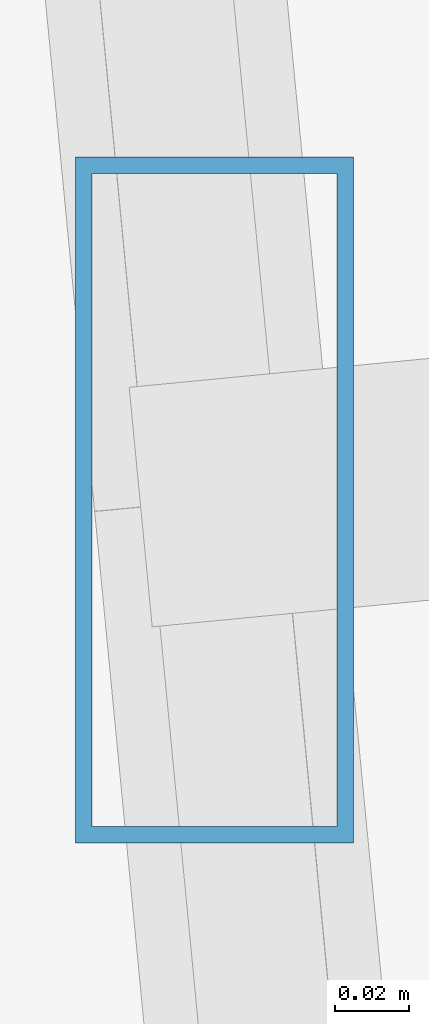
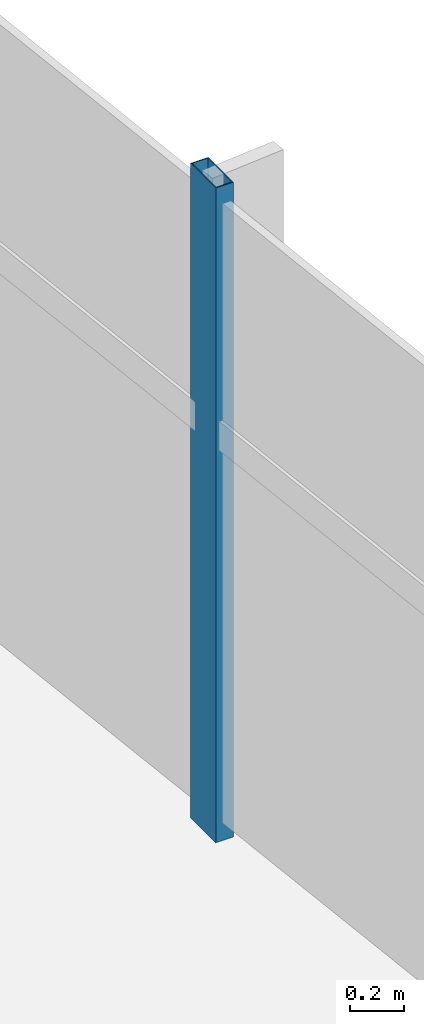
# One storey, part 16 of 27: 1 member, 1 element without a shape of its own.
"""IFC4 building model written with IfcOpenShell, lengths in metres."""

from ifc_helpers import new_model, si_unit, direction, frame, origin, origin_2d, place, context, subcontext, project, spatial, hollow_rectangle, extrude, source, transform, mapped, material, material_profile, profile_set, type_object, type_shapes, element, aggregate, save


model = new_model("IFC4")

# Units and contexts
model_context = context("Model", 3, precision=1e-05, world=origin(), true_north=direction((0.0, 1.0)))
body_context = subcontext(model_context, "Body", "Model", "MODEL_VIEW")
ifc_project = project(units=[si_unit("LENGTHUNIT", "METRE"), si_unit("AREAUNIT", "SQUARE_METRE"), si_unit("VOLUMEUNIT", "CUBIC_METRE"), si_unit("PLANEANGLEUNIT", "RADIAN"), si_unit("MASSUNIT", "GRAM", prefix="KILO")], contexts=[model_context])

# Site, building, storey
site_placement = place(None, origin())
site = spatial("IfcSite", under=ifc_project, at=site_placement, CompositionType="ELEMENT")
building_placement = place(site_placement, origin())
building = spatial("IfcBuilding", under=site, at=building_placement, Name="Astriad Promenade Condominiums", CompositionType="ELEMENT")
storey_placement = place(building_placement, frame((0.0, 0.0, 84.199951171875)))
storey = spatial("IfcBuildingStorey", under=building, at=storey_placement, Name="L23", CompositionType="ELEMENT", Elevation=84.199951171875)

# Curtain wall, member
ifc_material_1 = material(Name="Anodised aluminium Black Dark Glass Unitised", Category="aluminium")
curtain_wall_type = type_object("IfcCurtainWallType", Name="CW-B2-DARK", PredefinedType="USERDEFINED", material=ifc_material_1)
curtain_wall_placement = place(storey_placement, origin())
curtain_wall = element("IfcCurtainWall", 1, at=curtain_wall_placement, inside=storey, type_object=curtain_wall_type, Name="CW-L23-E", ObjectType="UNITISED_CURTAIN_WALL", PredefinedType="USERDEFINED")
ifc_material_2 = material(Name="Anodised aluminium 6063-T6 Black", Category="aluminium")
ifc_material_profile = material_profile(ifc_material_2, hollow_rectangle(XDim=0.074951171875, YDim=0.18505859375, WallThickness=0.00439453125, at=origin_2d()), Name="ALU-MUL-75X185")
ifc_profile_set = profile_set([ifc_material_profile], Name="Anodised aluminium 6063-T6 Black")
member_type = type_object("IfcMemberType", Name="MUL-ALU-MUL-75X185", PredefinedType="MULLION", material=ifc_profile_set)
shared_shape = source(origin(), body_context, "Body", "SweptSolid", [
    extrude(hollow_rectangle(XDim=0.074951171875, YDim=0.18505859375, WallThickness=0.00439453125, at=origin_2d()), origin(), (0.0, 0.0, 1.0), 2.93994140625),
])
type_shapes(member_type, [shared_shape])
member_placement = place(storey_placement, frame((68.972900390625, 16.6552734375, 0.0), z_axis=(0.0, 0.0, 1.0), x_axis=(1.0, 0.0, 0.0)))
member = element("IfcMember", 2, at=member_placement, type_object=member_type, Name="CW-L23-E-MUL-02", PredefinedType="MULLION", context=body_context, shape_type="MappedRepresentation", body=[
    mapped(shared_shape, transform((0.0, 0.0, 0.0), scale=1.0)),
])
aggregate(curtain_wall, [member])

save(model, "model.ifc")
